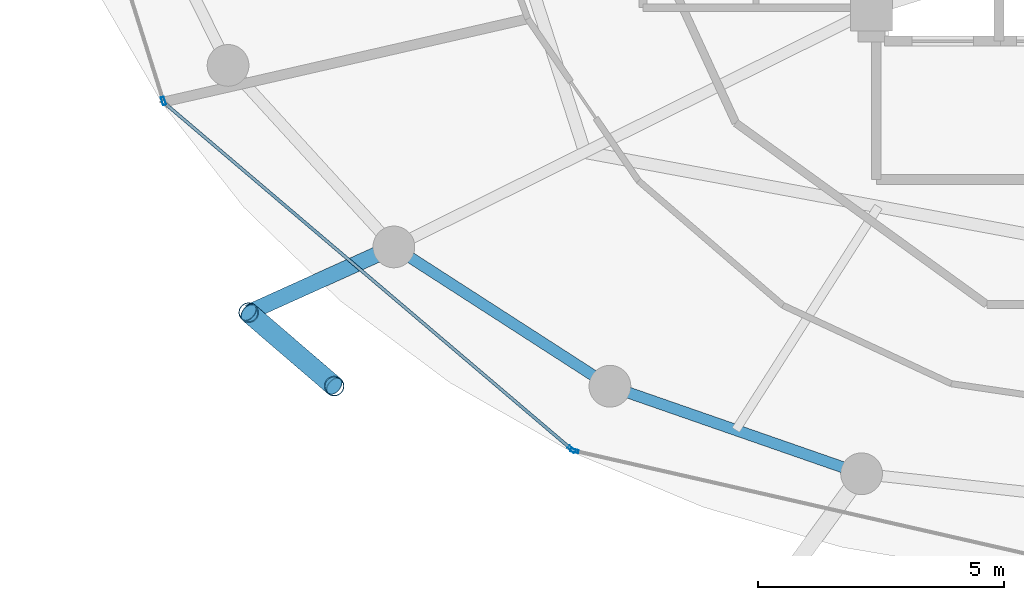
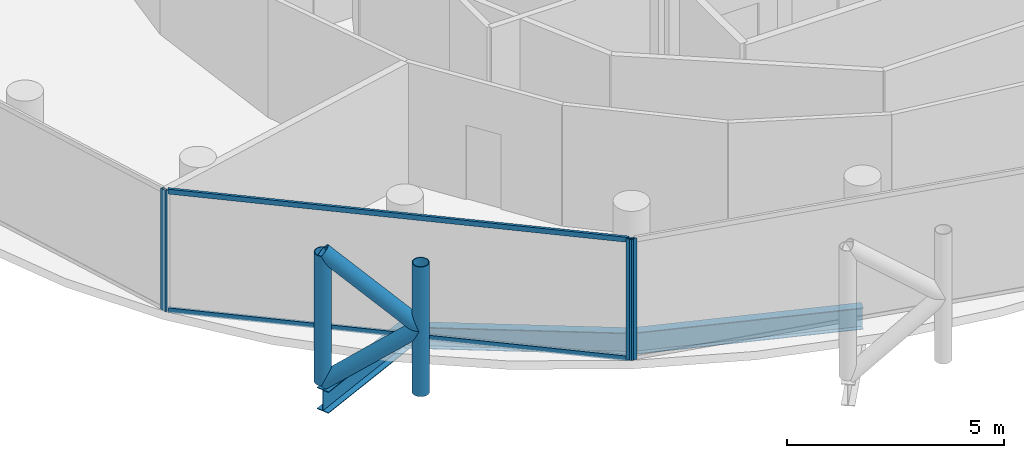
# One storey, part 2 of 27: 9 members, 3 beams, 3 elements without a shape of their own.
"""IFC4 building model written with IfcOpenShell, lengths in metres."""

from ifc_helpers import new_model, si_unit, direction, frame, origin, origin_2d, place, context, subcontext, project, spatial, hollow_rectangle, hollow_circle, i_section, extrude, material, layer, layer_set, material_profile, profile_set, type_object, element, aggregate, save


model = new_model("IFC4")

# Units and contexts
model_context = context("Model", 3, precision=1e-05, world=origin(), true_north=direction((0.0, 1.0)))
body_context = subcontext(model_context, "Body", "Model", "MODEL_VIEW")
ifc_project = project(units=[si_unit("LENGTHUNIT", "METRE"), si_unit("AREAUNIT", "SQUARE_METRE"), si_unit("VOLUMEUNIT", "CUBIC_METRE"), si_unit("PLANEANGLEUNIT", "RADIAN"), si_unit("MASSUNIT", "GRAM", prefix="KILO")], contexts=[model_context])

# Site, building, storey
site_placement = place(None, origin())
site = spatial("IfcSite", under=ifc_project, at=site_placement, CompositionType="ELEMENT")
building_placement = place(site_placement, origin())
building = spatial("IfcBuilding", under=site, at=building_placement, Name="Nuhasar Tower", CompositionType="ELEMENT")
storey_placement = place(building_placement, frame((0.0, 0.0, 215.449951171875)))
storey = spatial("IfcBuildingStorey", under=building, at=storey_placement, Name="L52", CompositionType="ELEMENT", Elevation=215.449951171875)

# Beams
ifc_material_1 = material(Name="Steel S355", Category="steel")
ifc_material_profile_1 = material_profile(ifc_material_1, i_section(OverallWidth=0.22802734375, OverallDepth=0.60791015625, WebThickness=0.01123046875, FlangeThickness=0.017333984375, at=origin_2d()), Name="W24X76")
ifc_profile_set_1 = profile_set([ifc_material_profile_1], Name="Steel S355")
beam_type_1 = type_object("IfcBeamType", Name="BM-RING-W24X76", PredefinedType="SPANDREL", material=ifc_profile_set_1)
beam_1_placement = place(storey_placement, frame((23.97412109375, 14.177978515625, -0.5439453125), z_axis=(0.840502144969, -0.541808217272, 0.0), x_axis=(0.541808217272, 0.840502144969, 0.0)))
element("IfcBeam", 1, at=beam_1_placement, inside=storey, type_object=beam_type_1, Name="L52 Perimeter Ring Spandrel 16", PredefinedType="SPANDREL", context=body_context, shape_type="SweptSolid", body=[
    extrude(i_section(OverallWidth=0.22802734375, OverallDepth=0.60791015625, WebThickness=0.01123046875, FlangeThickness=0.017333984375, at=origin_2d()), origin(), (0.0, 0.0, 1.0), 5.236083984375),
])
beam_2_placement = place(storey_placement, frame((28.375, 11.341064453125, -0.5439453125), z_axis=(0.944476764686, -0.328578211342, 0.0), x_axis=(0.328578211342, 0.944476764686, 0.0)))
element("IfcBeam", 2, at=beam_2_placement, inside=storey, type_object=beam_type_1, Name="L52 Perimeter Ring Spandrel 17", PredefinedType="SPANDREL", context=body_context, shape_type="SweptSolid", body=[
    extrude(i_section(OverallWidth=0.22802734375, OverallDepth=0.60791015625, WebThickness=0.01123046875, FlangeThickness=0.017333984375, at=origin_2d()), origin(), (0.0, 0.0, 1.0), 5.42626953125),
])
ifc_material_profile_2 = material_profile(ifc_material_1, i_section(OverallWidth=0.323974609375, OverallDepth=0.611083984375, WebThickness=0.0126953125, FlangeThickness=0.01904296875, at=origin_2d()), Name="W24X104")
ifc_profile_set_2 = profile_set([ifc_material_profile_2], Name="Steel S355")
beam_type_2 = type_object("IfcBeamType", Name="BM-TIE-W24X104", PredefinedType="BEAM", material=ifc_profile_set_2)
beam_3_placement = place(storey_placement, frame((23.97412109375, 14.177978515625, -0.544921875), z_axis=(-0.911363318082, -0.411602845538, 0.0), x_axis=(0.411602845538, -0.911363318082, 0.0)))
element("IfcBeam", 3, at=beam_3_placement, inside=storey, type_object=beam_type_2, Name="L52 Exoskeleton Node Tie Beam 08", PredefinedType="BEAM", context=body_context, shape_type="SweptSolid", body=[
    extrude(i_section(OverallWidth=0.323974609375, OverallDepth=0.611083984375, WebThickness=0.0126953125, FlangeThickness=0.01904296875, at=origin_2d()), origin(), (0.0, 0.0, 1.0), 3.24560546875),
])

# Curtain wall, member
ifc_material_2 = material(Name="Aluminium 6063-T6", Category="aluminium")
ifc_layer = layer(ifc_material_2, 0.18994140625)
ifc_layer_set = layer_set([ifc_layer], Name="Aluminium 6063-T6")
curtain_wall_type = type_object("IfcCurtainWallType", Name="CW-Z3-RES", PredefinedType="NOTDEFINED", material=ifc_layer_set)
curtain_wall_1_placement = place(storey_placement, origin())
curtain_wall_1 = element("IfcCurtainWall", 4, at=curtain_wall_1_placement, inside=storey, type_object=curtain_wall_type, Name="L52 Unitised Curtain Wall 07", PredefinedType="NOTDEFINED")
ifc_material_profile_3 = material_profile(ifc_material_2, hollow_rectangle(XDim=0.06494140625, YDim=0.169921875, WallThickness=0.0048828125, at=origin_2d()), Name="CWM-4")
ifc_profile_set_3 = profile_set([ifc_material_profile_3], Name="Aluminium 6063-T6")
member_type_1 = type_object("IfcMemberType", Name="CW-MUL-S4", PredefinedType="MULLION", material=ifc_profile_set_3)
member_1_placement = place(storey_placement, frame((19.279296875, 17.15087890625, 0.0), z_axis=(0.0, 0.0, 1.0), x_axis=(0.95380429279, 0.30042864553, 0.0)))
member_1 = element("IfcMember", 5, at=member_1_placement, type_object=member_type_1, Name="CW-Z3 mullion 2", PredefinedType="MULLION", context=body_context, shape_type="SweptSolid", body=[
    extrude(hollow_rectangle(XDim=0.06494140625, YDim=0.169921875, WallThickness=0.0048828125, at=origin_2d()), origin(), (0.0, 0.0, 1.0), 3.41015625),
])
aggregate(curtain_wall_1, [member_1])

curtain_wall_2_placement = place(storey_placement, origin())
curtain_wall_2 = element("IfcCurtainWall", 6, at=curtain_wall_2_placement, inside=storey, type_object=curtain_wall_type, Name="L52 Unitised Curtain Wall 08", PredefinedType="NOTDEFINED")
member_2_placement = place(storey_placement, frame((27.59521484375, 10.05517578125, 0.0), z_axis=(0.0, 0.0, 1.0), x_axis=(0.64789521578, 0.761729472562, 0.0)))
member_2 = element("IfcMember", 7, at=member_2_placement, type_object=member_type_1, Name="CW-Z3 mullion 2", PredefinedType="MULLION", context=body_context, shape_type="SweptSolid", body=[
    extrude(hollow_rectangle(XDim=0.06494140625, YDim=0.169921875, WallThickness=0.0048828125, at=origin_2d()), origin(), (0.0, 0.0, 1.0), 3.41015625),
])

curtain_wall_3_placement = place(storey_placement, origin())
curtain_wall_3 = element("IfcCurtainWall", 8, at=curtain_wall_3_placement, inside=storey, type_object=curtain_wall_type, Name="L52 Unitised Curtain Wall 09", PredefinedType="NOTDEFINED")
member_3_placement = place(storey_placement, frame((27.651611328125, 10.02685546875, 0.0), z_axis=(0.0, 0.0, 1.0), x_axis=(0.222243176313, 0.974991266926, 0.0)))
member_3 = element("IfcMember", 9, at=member_3_placement, type_object=member_type_1, Name="CW-Z3 mullion 1", PredefinedType="MULLION", context=body_context, shape_type="SweptSolid", body=[
    extrude(hollow_rectangle(XDim=0.06494140625, YDim=0.169921875, WallThickness=0.0048828125, at=origin_2d()), origin(), (0.0, 0.0, 1.0), 3.41015625),
])
aggregate(curtain_wall_3, [member_3])

# Member
ifc_material_profile_4 = material_profile(ifc_material_2, hollow_rectangle(XDim=0.06494140625, YDim=0.139892578125, WallThickness=0.00439453125, at=origin_2d()), Name="CWT-4")
ifc_profile_set_4 = profile_set([ifc_material_profile_4], Name="Aluminium 6063-T6")
member_type_2 = type_object("IfcMemberType", Name="CW-TRN-S4", PredefinedType="USERDEFINED", material=ifc_profile_set_4)
member_4_placement = place(storey_placement, frame((19.338623046875, 17.077880859375, 0.032470703125), z_axis=(0.761730809511, -0.647893643928, 0.0), x_axis=(0.647893643928, 0.761730809511, 0.0)))
member_4 = element("IfcMember", 10, at=member_4_placement, type_object=member_type_2, Name="CW-Z3 transom 1.1", ObjectType="TRANSOM", PredefinedType="USERDEFINED", context=body_context, shape_type="SweptSolid", body=[
    extrude(hollow_rectangle(XDim=0.06494140625, YDim=0.139892578125, WallThickness=0.00439453125, at=origin_2d()), origin(), (0.0, 0.0, 1.0), 10.806884765625),
])

member_5_placement = place(storey_placement, frame((19.338623046875, 17.077880859375, 3.37744140625), z_axis=(0.761730809511, -0.647893643928, 0.0), x_axis=(0.647893643928, 0.761730809511, 0.0)))
member_5 = element("IfcMember", 11, at=member_5_placement, type_object=member_type_2, Name="CW-Z3 transom 1.2", ObjectType="TRANSOM", PredefinedType="USERDEFINED", context=body_context, shape_type="SweptSolid", body=[
    extrude(hollow_rectangle(XDim=0.06494140625, YDim=0.139892578125, WallThickness=0.00439453125, at=origin_2d()), origin(), (0.0, 0.0, 1.0), 10.806884765625),
])

aggregate(curtain_wall_2, [member_2, member_4, member_5])

# Members
ifc_material_3 = material(Name="Steel S460", Category="steel")
ifc_material_profile_5 = material_profile(ifc_material_3, hollow_circle(Radius=0.203125, WallThickness=0.01904296875, at=origin_2d()), Name="HSS406.4X19.1")
ifc_profile_set_5 = profile_set([ifc_material_profile_5], Name="Steel S460")
member_type_3 = type_object("IfcMemberType", Name="EXO-BRONZE-406", PredefinedType="BRACE", material=ifc_profile_set_5)
for number, where, z_axis, x_axis, name in (
    (12, (21.01611328125, 12.842041015625, 0.0), (0.0, 0.0, 1.0), (1.0, 0.0, 0.0), "L52 Exoskeleton Chord Column EC-08A"),
    (13, (22.760009765625, 11.343017578125, 0.0), (0.0, 0.0, 1.0), (1.0, 0.0, 0.0), "L52 Exoskeleton Chord Column EC-08B"),
):
    element("IfcMember", number, at=place(storey_placement, frame(where, z_axis=z_axis, x_axis=x_axis)), inside=storey, type_object=member_type_3, Name=name, PredefinedType="BRACE", context=body_context, shape_type="SweptSolid", body=[
        extrude(hollow_circle(Radius=0.203125, WallThickness=0.01904296875, at=origin_2d()), origin(), (0.0, 0.0, 1.0), 3.650146484375),
    ])
for number, where, z_axis, x_axis, name in (
    (14, (21.01611328125, 12.842041015625, 0.0), (0.594018535389, -0.510608120858, 0.621627964725), (0.65185738425, 0.758341579104, 0.0), "L52 Bronze Diagrid Brace W1-08"),
    (15, (22.760009765625, 11.343017578125, 1.824951171875), (-0.593987827832, 0.51058172517, 0.621678986543), (-0.65185738425, -0.758341579104, 0.0), "L52 Bronze Diagrid Brace W2-08"),
):
    element("IfcMember", number, at=place(storey_placement, frame(where, z_axis=z_axis, x_axis=x_axis)), inside=storey, type_object=member_type_3, Name=name, PredefinedType="BRACE", context=body_context, shape_type="SweptSolid", body=[
        extrude(hollow_circle(Radius=0.203125, WallThickness=0.01904296875, at=origin_2d()), origin(), (0.0, 0.0, 1.0), 2.935791015625),
    ])

save(model, "model.ifc")
